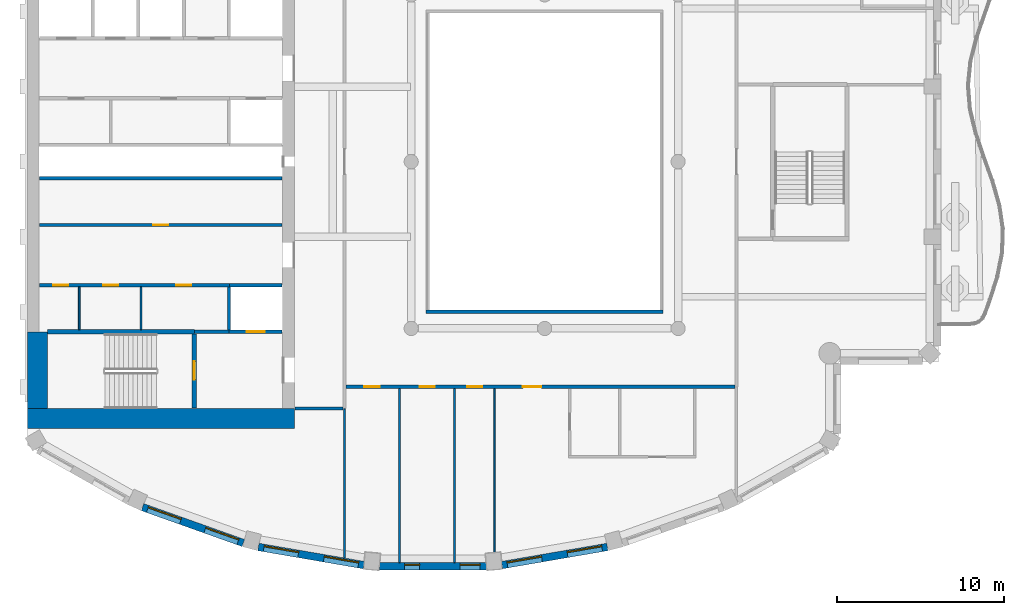
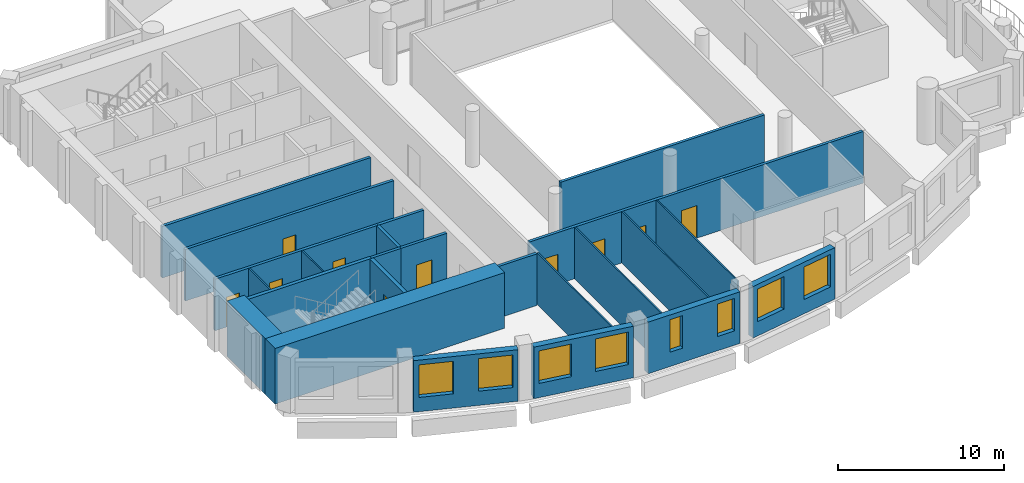
# One storey, part 4 of 14: 24 walls, 10 doors, 8 windows, 18 openings.
"""IFC4 building model written with IfcOpenShell, lengths in metres."""

from ifc_helpers import new_model, si_unit, direction, frame, frame_2d, origin, place, context, subcontext, project, spatial, rectangle, extrude, material, layer, layer_set, type_object, element, fill, save


model = new_model("IFC4")

# Units and contexts
model_context = context("Model", 3, precision=1e-05, world=origin(), true_north=direction((0.0, 1.0)))
body_context = subcontext(model_context, "Body", "Model", "MODEL_VIEW")
ifc_project = project(units=[si_unit("LENGTHUNIT", "METRE"), si_unit("AREAUNIT", "SQUARE_METRE"), si_unit("VOLUMEUNIT", "CUBIC_METRE"), si_unit("PLANEANGLEUNIT", "RADIAN"), si_unit("MASSUNIT", "GRAM", prefix="KILO")], contexts=[model_context])

# Site, building, storey
site_placement = place(None, origin())
site = spatial("IfcSite", under=ifc_project, at=site_placement, CompositionType="ELEMENT")
building_placement = place(site_placement, origin())
building = spatial("IfcBuilding", under=site, at=building_placement, Name="Cypress Arch Tower", CompositionType="ELEMENT")
storey_placement = place(building_placement, frame((0.0, 0.0, 263.89990234375)))
storey = spatial("IfcBuildingStorey", under=building, at=storey_placement, Name="L59", CompositionType="ELEMENT", Elevation=263.89990234375)

# Wall, openings, windows
ifc_material_1 = material(Name="Brick (red buff blend)", Category="masonry")
ifc_layer_1 = layer(ifc_material_1, 0.449951171875)
ifc_layer_set_1 = layer_set([ifc_layer_1], Name="Brick pier and spandrel wall BW450")
wall_type_1 = type_object("IfcWallType", Name="Brick pier and spandrel wall BW450", PredefinedType="SOLIDWALL", material=ifc_layer_set_1)
wall_1_placement = place(storey_placement, frame((-23.10498046875, -20.70947265625, 0.0), z_axis=(0.0, 0.0, 1.0), x_axis=(0.942104058931, -0.335320655711, 0.0)))
wall_1 = element("IfcWall", 1, at=wall_1_placement, inside=storey, type_object=wall_type_1, Name="Brick wall L59 C09.0", PredefinedType="SOLIDWALL", context=body_context, shape_type="SweptSolid", body=[
    extrude(rectangle(XDim=6.411376953125, YDim=0.449951171875, at=frame_2d((3.20556640625, 0.0))), origin(), (0.0, 0.0, 1.0), 3.800048828125),
])
opening_1_placement = place(wall_1_placement, frame((0.3271484375, 0.0, 1.050048828125)))
opening_1 = element("IfcOpeningElement", 2, at=opening_1_placement, cuts=wall_1, Name="Opening W210O", PredefinedType="OPENING", context=body_context, shape_type="SweptSolid", body=[
    extrude(rectangle(XDim=2.10009765625, YDim=2.39990234375, at=frame_2d((1.050048828125, 1.199951171875))), frame((0.0, 0.23486328125, 0.0), z_axis=(0.0, -1.0, 0.0), x_axis=(1.0, 0.0, 0.0)), (0.0, 0.0, 1.0), 0.469970703125),
])
opening_2_placement = place(wall_1_placement, frame((3.984619140625, 0.0, 1.050048828125)))
opening_2 = element("IfcOpeningElement", 3, at=opening_2_placement, cuts=wall_1, Name="Opening W210O", PredefinedType="OPENING", context=body_context, shape_type="SweptSolid", body=[
    extrude(rectangle(XDim=2.10009765625, YDim=2.39990234375, at=frame_2d((1.050048828125, 1.199951171875))), frame((0.0, 0.23486328125, 0.0), z_axis=(0.0, -1.0, 0.0), x_axis=(1.0, 0.0, 0.0)), (0.0, 0.0, 1.0), 0.469970703125),
])
ifc_material_2 = material(Name="Anodised aluminium, bronze finish, clear low-emissivity double glazing", Category="aluminium")
window_type_1 = type_object("IfcWindowType", Name="Window Office 2100x2400", PartitioningType="SINGLE_PANEL", PredefinedType="WINDOW", material=ifc_material_2)
window_1_placement = place(opening_1_placement, origin())
window_1 = element("IfcWindow", 4, at=window_1_placement, inside=storey, type_object=window_type_1, Name="Window L59 C09.0.1", OverallHeight=2.39990234375, OverallWidth=2.10009765625, PartitioningType="SINGLE_PANEL", PredefinedType="WINDOW", context=body_context, shape_type="SweptSolid", body=[
    extrude(rectangle(XDim=2.10009765625, YDim=2.39990234375, at=frame_2d((1.050048828125, 1.199951171875))), frame((0.0, 0.135009765625, 0.0), z_axis=(0.0, -1.0, 0.0), x_axis=(1.0, 0.0, 0.0)), (0.0, 0.0, 1.0), 0.06005859375),
])
fill(opening_1, window_1)
window_2_placement = place(opening_2_placement, origin())
window_2 = element("IfcWindow", 5, at=window_2_placement, inside=storey, type_object=window_type_1, Name="Window L59 C09.0.2", OverallHeight=2.39990234375, OverallWidth=2.10009765625, PartitioningType="SINGLE_PANEL", PredefinedType="WINDOW", context=body_context, shape_type="SweptSolid", body=[
    extrude(rectangle(XDim=2.10009765625, YDim=2.39990234375, at=frame_2d((1.050048828125, 1.199951171875))), frame((0.0, 0.135009765625, 0.0), z_axis=(0.0, -1.0, 0.0), x_axis=(1.0, 0.0, 0.0)), (0.0, 0.0, 1.0), 0.06005859375),
])
fill(opening_2, window_2)

wall_2_placement = place(storey_placement, frame((-16.15673828125, -23.09716796875, 0.0), z_axis=(0.0, 0.0, 1.0), x_axis=(0.985502073964, -0.169663379113, 0.0)))
wall_2 = element("IfcWall", 6, at=wall_2_placement, inside=storey, type_object=wall_type_1, Name="Brick wall L59 C10.0", PredefinedType="SOLIDWALL", context=body_context, shape_type="SweptSolid", body=[
    extrude(rectangle(XDim=6.412109375, YDim=0.449951171875, at=frame_2d((3.2060546875, 0.0))), origin(), (0.0, 0.0, 1.0), 3.800048828125),
])
opening_3_placement = place(wall_2_placement, frame((0.3271484375, 0.0, 1.050048828125)))
opening_3 = element("IfcOpeningElement", 7, at=opening_3_placement, cuts=wall_2, Name="Opening W210O", PredefinedType="OPENING", context=body_context, shape_type="SweptSolid", body=[
    extrude(rectangle(XDim=2.10009765625, YDim=2.39990234375, at=frame_2d((1.050048828125, 1.199951171875))), frame((0.0, 0.23486328125, 0.0), z_axis=(0.0, -1.0, 0.0), x_axis=(1.0, 0.0, 0.0)), (0.0, 0.0, 1.0), 0.469970703125),
])
opening_4_placement = place(wall_2_placement, frame((3.98486328125, 0.0, 1.050048828125)))
opening_4 = element("IfcOpeningElement", 8, at=opening_4_placement, cuts=wall_2, Name="Opening W210O", PredefinedType="OPENING", context=body_context, shape_type="SweptSolid", body=[
    extrude(rectangle(XDim=2.10009765625, YDim=2.39990234375, at=frame_2d((1.050048828125, 1.199951171875))), frame((0.0, 0.23486328125, 0.0), z_axis=(0.0, -1.0, 0.0), x_axis=(1.0, 0.0, 0.0)), (0.0, 0.0, 1.0), 0.469970703125),
])
window_3_placement = place(opening_3_placement, origin())
window_3 = element("IfcWindow", 9, at=window_3_placement, inside=storey, type_object=window_type_1, Name="Window L59 C10.0.1", OverallHeight=2.39990234375, OverallWidth=2.10009765625, PartitioningType="SINGLE_PANEL", PredefinedType="WINDOW", context=body_context, shape_type="SweptSolid", body=[
    extrude(rectangle(XDim=2.10009765625, YDim=2.39990234375, at=frame_2d((1.050048828125, 1.199951171875))), frame((0.0, 0.135009765625, 0.0), z_axis=(0.0, -1.0, 0.0), x_axis=(1.0, 0.0, 0.0)), (0.0, 0.0, 1.0), 0.06005859375),
])
fill(opening_3, window_3)
window_4_placement = place(opening_4_placement, origin())
window_4 = element("IfcWindow", 10, at=window_4_placement, inside=storey, type_object=window_type_1, Name="Window L59 C10.0.2", OverallHeight=2.39990234375, OverallWidth=2.10009765625, PartitioningType="SINGLE_PANEL", PredefinedType="WINDOW", context=body_context, shape_type="SweptSolid", body=[
    extrude(rectangle(XDim=2.10009765625, YDim=2.39990234375, at=frame_2d((1.050048828125, 1.199951171875))), frame((0.0, 0.135009765625, 0.0), z_axis=(0.0, -1.0, 0.0), x_axis=(1.0, 0.0, 0.0)), (0.0, 0.0, 1.0), 0.06005859375),
])
fill(opening_4, window_4)

wall_3_placement = place(storey_placement, frame((-8.90283203125, -24.264892578125, 0.0), z_axis=(0.0, 0.0, 1.0), x_axis=(1.0, 0.0, 0.0)))
wall_3 = element("IfcWall", 11, at=wall_3_placement, inside=storey, type_object=wall_type_1, Name="Brick wall L59 C11.0", PredefinedType="SOLIDWALL", context=body_context, shape_type="SweptSolid", body=[
    extrude(rectangle(XDim=6.405517578125, YDim=0.449951171875, at=frame_2d((3.20263671875, 0.0))), origin(), (0.0, 0.0, 1.0), 3.800048828125),
])
opening_5_placement = place(wall_3_placement, frame((1.51416015625, 0.0, 1.050048828125)))
opening_5 = element("IfcOpeningElement", 12, at=opening_5_placement, cuts=wall_3, Name="Opening W090O", PredefinedType="OPENING", context=body_context, shape_type="SweptSolid", body=[
    extrude(rectangle(XDim=0.89990234375, YDim=2.39990234375, at=frame_2d((0.449951171875, 1.199951171875))), frame((0.0, 0.23486328125, 0.0), z_axis=(0.0, -1.0, 0.0), x_axis=(1.0, 0.0, 0.0)), (0.0, 0.0, 1.0), 0.469970703125),
])
opening_6_placement = place(wall_3_placement, frame((4.84130859375, 0.0, 1.050048828125)))
opening_6 = element("IfcOpeningElement", 13, at=opening_6_placement, cuts=wall_3, Name="Opening W120O", PredefinedType="OPENING", context=body_context, shape_type="SweptSolid", body=[
    extrude(rectangle(XDim=1.199951171875, YDim=2.39990234375, at=frame_2d((0.60009765625, 1.199951171875))), frame((0.0, 0.23486328125, 0.0), z_axis=(0.0, -1.0, 0.0), x_axis=(1.0, 0.0, 0.0)), (0.0, 0.0, 1.0), 0.469970703125),
])
ifc_material_3 = material(Name="Anodised aluminium, bronze finish, clear low-emissivity double glazing", Category="aluminium")
window_type_2 = type_object("IfcWindowType", Name="Window Office 1200x2400", PartitioningType="SINGLE_PANEL", PredefinedType="WINDOW", material=ifc_material_3)
window_5_placement = place(opening_6_placement, origin())
window_5 = element("IfcWindow", 14, at=window_5_placement, inside=storey, type_object=window_type_2, Name="Window L59 C11.0.2", OverallHeight=2.39990234375, OverallWidth=1.199951171875, PartitioningType="SINGLE_PANEL", PredefinedType="WINDOW", context=body_context, shape_type="SweptSolid", body=[
    extrude(rectangle(XDim=1.199951171875, YDim=2.39990234375, at=frame_2d((0.60009765625, 1.199951171875))), frame((0.0, 0.135009765625, 0.0), z_axis=(0.0, -1.0, 0.0), x_axis=(1.0, 0.0, 0.0)), (0.0, 0.0, 1.0), 0.06005859375),
])
fill(opening_6, window_5)
ifc_material_4 = material(Name="Anodised aluminium, bronze finish, clear low-emissivity double glazing", Category="aluminium")
window_type_3 = type_object("IfcWindowType", Name="Window Office 900x2400", PartitioningType="SINGLE_PANEL", PredefinedType="WINDOW", material=ifc_material_4)
window_6_placement = place(opening_5_placement, origin())
window_6 = element("IfcWindow", 15, at=window_6_placement, inside=storey, type_object=window_type_3, Name="Window L59 C11.0.1", OverallHeight=2.39990234375, OverallWidth=0.89990234375, PartitioningType="SINGLE_PANEL", PredefinedType="WINDOW", context=body_context, shape_type="SweptSolid", body=[
    extrude(rectangle(XDim=0.89990234375, YDim=2.39990234375, at=frame_2d((0.449951171875, 1.199951171875))), frame((0.0, 0.135009765625, 0.0), z_axis=(0.0, -1.0, 0.0), x_axis=(1.0, 0.0, 0.0)), (0.0, 0.0, 1.0), 0.06005859375),
])
fill(opening_5, window_6)

wall_4_placement = place(storey_placement, frame((-1.562255859375, -24.18505859375, 0.0), z_axis=(0.0, 0.0, 1.0), x_axis=(0.985502073964, 0.169663379113, 0.0)))
wall_4 = element("IfcWall", 16, at=wall_4_placement, inside=storey, type_object=wall_type_1, Name="Brick wall L59 C12.0", PredefinedType="SOLIDWALL", context=body_context, shape_type="SweptSolid", body=[
    extrude(rectangle(XDim=6.412109375, YDim=0.449951171875, at=frame_2d((3.2060546875, 0.0))), origin(), (0.0, 0.0, 1.0), 3.800048828125),
])
opening_7_placement = place(wall_4_placement, frame((0.3271484375, 0.0, 1.050048828125)))
opening_7 = element("IfcOpeningElement", 17, at=opening_7_placement, cuts=wall_4, Name="Opening W210O", PredefinedType="OPENING", context=body_context, shape_type="SweptSolid", body=[
    extrude(rectangle(XDim=2.10009765625, YDim=2.39990234375, at=frame_2d((1.050048828125, 1.199951171875))), frame((0.0, 0.23486328125, 0.0), z_axis=(0.0, -1.0, 0.0), x_axis=(1.0, 0.0, 0.0)), (0.0, 0.0, 1.0), 0.469970703125),
])
opening_8_placement = place(wall_4_placement, frame((3.98486328125, 0.0, 1.050048828125)))
opening_8 = element("IfcOpeningElement", 18, at=opening_8_placement, cuts=wall_4, Name="Opening W210O", PredefinedType="OPENING", context=body_context, shape_type="SweptSolid", body=[
    extrude(rectangle(XDim=2.10009765625, YDim=2.39990234375, at=frame_2d((1.050048828125, 1.199951171875))), frame((0.0, 0.23486328125, 0.0), z_axis=(0.0, -1.0, 0.0), x_axis=(1.0, 0.0, 0.0)), (0.0, 0.0, 1.0), 0.469970703125),
])
window_7_placement = place(opening_7_placement, origin())
window_7 = element("IfcWindow", 19, at=window_7_placement, inside=storey, type_object=window_type_1, Name="Window L59 C12.0.1", OverallHeight=2.39990234375, OverallWidth=2.10009765625, PartitioningType="SINGLE_PANEL", PredefinedType="WINDOW", context=body_context, shape_type="SweptSolid", body=[
    extrude(rectangle(XDim=2.10009765625, YDim=2.39990234375, at=frame_2d((1.050048828125, 1.199951171875))), frame((0.0, 0.135009765625, 0.0), z_axis=(0.0, -1.0, 0.0), x_axis=(1.0, 0.0, 0.0)), (0.0, 0.0, 1.0), 0.06005859375),
])
fill(opening_7, window_7)
window_8_placement = place(opening_8_placement, origin())
window_8 = element("IfcWindow", 20, at=window_8_placement, inside=storey, type_object=window_type_1, Name="Window L59 C12.0.2", OverallHeight=2.39990234375, OverallWidth=2.10009765625, PartitioningType="SINGLE_PANEL", PredefinedType="WINDOW", context=body_context, shape_type="SweptSolid", body=[
    extrude(rectangle(XDim=2.10009765625, YDim=2.39990234375, at=frame_2d((1.050048828125, 1.199951171875))), frame((0.0, 0.135009765625, 0.0), z_axis=(0.0, -1.0, 0.0), x_axis=(1.0, 0.0, 0.0)), (0.0, 0.0, 1.0), 0.06005859375),
])
fill(opening_8, window_8)

# Walls
ifc_material_5 = material(Name="Concrete C60/75", Category="concrete")
ifc_layer_2 = layer(ifc_material_5, 1.199951171875)
ifc_layer_set_2 = layer_set([ifc_layer_2], Name="Core wall CW1200 C60/75")
wall_type_2 = type_object("IfcWallType", Name="Core wall CW1200 C60/75", PredefinedType="SHEAR", material=ifc_layer_set_2)
wall_5_placement = place(storey_placement, frame((-30.0, -15.39990234375, 0.0), z_axis=(0.0, 0.0, 1.0), x_axis=(1.0, 0.0, 0.0)))
element("IfcWall", 21, at=wall_5_placement, inside=storey, type_object=wall_type_2, Name="Core wall", PredefinedType="SHEAR", context=body_context, shape_type="SweptSolid", body=[
    extrude(rectangle(XDim=16.0, YDim=1.199951171875, at=frame_2d((8.0, 0.0))), origin(), (0.0, 0.0, 1.0), 4.10009765625),
])
wall_6_placement = place(storey_placement, frame((-29.39990234375, -14.800048828125, 0.0), z_axis=(0.0, 0.0, 1.0), x_axis=(0.0, 1.0, 0.0)))
element("IfcWall", 22, at=wall_6_placement, inside=storey, type_object=wall_type_2, Name="Core wall", PredefinedType="SHEAR", context=body_context, shape_type="SweptSolid", body=[
    extrude(rectangle(XDim=4.60009765625, YDim=1.199951171875, at=frame_2d((2.300048828125, 0.0))), origin(), (0.0, 0.0, 1.0), 4.10009765625),
])

# Wall, openings, doors
ifc_material_6 = material(Name="Concrete blockwork, plastered, rated", Category="masonry")
ifc_layer_3 = layer(ifc_material_6, 0.199951171875)
ifc_layer_set_3 = layer_set([ifc_layer_3], Name="Corridor wall FW200")
wall_type_3 = type_object("IfcWallType", Name="Corridor wall FW200", PredefinedType="PARTITIONING", material=ifc_layer_set_3)
wall_7_placement = place(storey_placement, frame((-29.27001953125, -7.39990234375, 0.0), z_axis=(0.0, 0.0, 1.0), x_axis=(1.0, 0.0, 0.0)))
wall_7 = element("IfcWall", 23, at=wall_7_placement, inside=storey, type_object=wall_type_3, Name="Corridor wall", PredefinedType="PARTITIONING", context=body_context, shape_type="SweptSolid", body=[
    extrude(rectangle(XDim=11.3701171875, YDim=0.199951171875, at=frame_2d((5.68505859375, 0.0))), origin(), (0.0, 0.0, 1.0), 3.800048828125),
])
opening_9_placement = place(wall_7_placement, frame((0.800048828125, 0.0, 0.0)))
opening_9 = element("IfcOpeningElement", 24, at=opening_9_placement, cuts=wall_7, Name="Opening D05", PredefinedType="OPENING", context=body_context, shape_type="SweptSolid", body=[
    extrude(rectangle(XDim=0.89990234375, YDim=2.199951171875, at=frame_2d((0.449951171875, 1.10009765625))), frame((0.0, 0.10986328125, 0.0), z_axis=(0.0, -1.0, 0.0), x_axis=(1.0, 0.0, 0.0)), (0.0, 0.0, 1.0), 0.219970703125),
])
opening_10_placement = place(wall_7_placement, frame((3.800048828125, 0.0, 0.0)))
opening_10 = element("IfcOpeningElement", 25, at=opening_10_placement, cuts=wall_7, Name="Opening D05", PredefinedType="OPENING", context=body_context, shape_type="SweptSolid", body=[
    extrude(rectangle(XDim=0.89990234375, YDim=2.199951171875, at=frame_2d((0.449951171875, 1.10009765625))), frame((0.0, 0.10986328125, 0.0), z_axis=(0.0, -1.0, 0.0), x_axis=(1.0, 0.0, 0.0)), (0.0, 0.0, 1.0), 0.219970703125),
])
opening_11_placement = place(wall_7_placement, frame((8.199951171875, 0.0, 0.0)))
opening_11 = element("IfcOpeningElement", 26, at=opening_11_placement, cuts=wall_7, Name="Opening D05", PredefinedType="OPENING", context=body_context, shape_type="SweptSolid", body=[
    extrude(rectangle(XDim=0.89990234375, YDim=2.199951171875, at=frame_2d((0.449951171875, 1.10009765625))), frame((0.0, 0.10986328125, 0.0), z_axis=(0.0, -1.0, 0.0), x_axis=(1.0, 0.0, 0.0)), (0.0, 0.0, 1.0), 0.219970703125),
])
ifc_material_7 = material(Name="Timber flush door", Category="wood")
door_type_1 = type_object("IfcDoorType", Name="Service door D05 900x2200", OperationType="SINGLE_SWING_LEFT", PredefinedType="DOOR", material=ifc_material_7)
door_1_placement = place(opening_9_placement, origin())
door_1 = element("IfcDoor", 27, at=door_1_placement, inside=storey, type_object=door_type_1, Name="Service door", OperationType="SINGLE_SWING_LEFT", OverallHeight=2.199951171875, OverallWidth=0.89990234375, PredefinedType="DOOR", context=body_context, shape_type="SweptSolid", body=[
    extrude(rectangle(XDim=0.89990234375, YDim=2.199951171875, at=frame_2d((0.449951171875, 1.10009765625))), frame((0.0, 0.02490234375, 0.0), z_axis=(0.0, -1.0, 0.0), x_axis=(1.0, 0.0, 0.0)), (0.0, 0.0, 1.0), 0.050048828125),
])
fill(opening_9, door_1)
door_2_placement = place(opening_10_placement, origin())
door_2 = element("IfcDoor", 28, at=door_2_placement, inside=storey, type_object=door_type_1, Name="Service door", OperationType="SINGLE_SWING_LEFT", OverallHeight=2.199951171875, OverallWidth=0.89990234375, PredefinedType="DOOR", context=body_context, shape_type="SweptSolid", body=[
    extrude(rectangle(XDim=0.89990234375, YDim=2.199951171875, at=frame_2d((0.449951171875, 1.10009765625))), frame((0.0, 0.02490234375, 0.0), z_axis=(0.0, -1.0, 0.0), x_axis=(1.0, 0.0, 0.0)), (0.0, 0.0, 1.0), 0.050048828125),
])
fill(opening_10, door_2)
door_3_placement = place(opening_11_placement, origin())
door_3 = element("IfcDoor", 29, at=door_3_placement, inside=storey, type_object=door_type_1, Name="Service door", OperationType="SINGLE_SWING_RIGHT", OverallHeight=2.199951171875, OverallWidth=0.89990234375, PredefinedType="DOOR", context=body_context, shape_type="SweptSolid", body=[
    extrude(rectangle(XDim=0.89990234375, YDim=2.199951171875, at=frame_2d((0.449951171875, 1.10009765625))), frame((0.0, 0.02490234375, 0.0), z_axis=(0.0, -1.0, 0.0), x_axis=(1.0, 0.0, 0.0)), (0.0, 0.0, 1.0), 0.050048828125),
])
fill(opening_11, door_3)

# Wall, opening, door
wall_8_placement = place(storey_placement, frame((-29.27001953125, -3.800048828125, 0.0), z_axis=(0.0, 0.0, 1.0), x_axis=(1.0, 0.0, 0.0)))
wall_8 = element("IfcWall", 30, at=wall_8_placement, inside=storey, type_object=wall_type_3, Name="Corridor wall", PredefinedType="PARTITIONING", context=body_context, shape_type="SweptSolid", body=[
    extrude(rectangle(XDim=14.5400390625, YDim=0.199951171875, at=frame_2d((7.27001953125, 0.0))), origin(), (0.0, 0.0, 1.0), 3.800048828125),
])
opening_12_placement = place(wall_8_placement, frame((6.800048828125, 0.0, 0.0)))
opening_12 = element("IfcOpeningElement", 31, at=opening_12_placement, cuts=wall_8, Name="Opening D05", PredefinedType="OPENING", context=body_context, shape_type="SweptSolid", body=[
    extrude(rectangle(XDim=0.89990234375, YDim=2.199951171875, at=frame_2d((0.449951171875, 1.10009765625))), frame((0.0, 0.10986328125, 0.0), z_axis=(0.0, -1.0, 0.0), x_axis=(1.0, 0.0, 0.0)), (0.0, 0.0, 1.0), 0.219970703125),
])
door_4_placement = place(opening_12_placement, origin())
door_4 = element("IfcDoor", 32, at=door_4_placement, inside=storey, type_object=door_type_1, Name="Service door", OperationType="SINGLE_SWING_LEFT", OverallHeight=2.199951171875, OverallWidth=0.89990234375, PredefinedType="DOOR", context=body_context, shape_type="SweptSolid", body=[
    extrude(rectangle(XDim=0.89990234375, YDim=2.199951171875, at=frame_2d((0.449951171875, 1.10009765625))), frame((0.0, 0.02490234375, 0.0), z_axis=(0.0, -1.0, 0.0), x_axis=(1.0, 0.0, 0.0)), (0.0, 0.0, 1.0), 0.050048828125),
])
fill(opening_12, door_4)

# Walls
wall_9_placement = place(storey_placement, frame((-20.0, -10.199951171875, 0.0), z_axis=(0.0, 0.0, 1.0), x_axis=(1.0, 0.0, 0.0)))
element("IfcWall", 33, at=wall_9_placement, inside=storey, type_object=wall_type_3, Name="Corridor wall", PredefinedType="PARTITIONING", context=body_context, shape_type="SweptSolid", body=[
    extrude(rectangle(XDim=2.080078125, YDim=0.199951171875, at=frame_2d((1.0400390625, 0.0))), origin(), (0.0, 0.0, 1.0), 3.800048828125),
])
wall_10_placement = place(storey_placement, frame((-13.969970703125, -14.800048828125, 0.0), z_axis=(0.0, 0.0, 1.0), x_axis=(1.0, 0.0, 0.0)))
element("IfcWall", 34, at=wall_10_placement, inside=storey, type_object=wall_type_3, Name="Corridor wall", PredefinedType="PARTITIONING", context=body_context, shape_type="SweptSolid", body=[
    extrude(rectangle(XDim=2.869873046875, YDim=0.199951171875, at=frame_2d((1.43505859375, 0.0))), origin(), (0.0, 0.0, 1.0), 3.800048828125),
])

# Wall, openings, doors
wall_11_placement = place(storey_placement, frame((-10.89990234375, -13.5, 0.0), z_axis=(0.0, 0.0, 1.0), x_axis=(1.0, 0.0, 0.0)))
wall_11 = element("IfcWall", 35, at=wall_11_placement, inside=storey, type_object=wall_type_3, Name="Corridor wall", PredefinedType="PARTITIONING", context=body_context, shape_type="SweptSolid", body=[
    extrude(rectangle(XDim=23.2998046875, YDim=0.199951171875, at=frame_2d((11.64990234375, 0.0))), origin(), (0.0, 0.0, 1.0), 3.800048828125),
])
opening_13_placement = place(wall_11_placement, frame((1.10009765625, 0.0, 0.0)))
opening_13 = element("IfcOpeningElement", 36, at=opening_13_placement, cuts=wall_11, Name="Opening D03", PredefinedType="OPENING", context=body_context, shape_type="SweptSolid", body=[
    extrude(rectangle(XDim=0.89990234375, YDim=2.199951171875, at=frame_2d((0.449951171875, 1.10009765625))), frame((0.0, 0.10986328125, 0.0), z_axis=(0.0, -1.0, 0.0), x_axis=(1.0, 0.0, 0.0)), (0.0, 0.0, 1.0), 0.219970703125),
])
opening_14_placement = place(wall_11_placement, frame((4.39990234375, 0.0, 0.0)))
opening_14 = element("IfcOpeningElement", 37, at=opening_14_placement, cuts=wall_11, Name="Opening D03", PredefinedType="OPENING", context=body_context, shape_type="SweptSolid", body=[
    extrude(rectangle(XDim=0.89990234375, YDim=2.199951171875, at=frame_2d((0.449951171875, 1.10009765625))), frame((0.0, 0.10986328125, 0.0), z_axis=(0.0, -1.0, 0.0), x_axis=(1.0, 0.0, 0.0)), (0.0, 0.0, 1.0), 0.219970703125),
])
opening_15_placement = place(wall_11_placement, frame((7.25, 0.0, 0.0)))
opening_15 = element("IfcOpeningElement", 38, at=opening_15_placement, cuts=wall_11, Name="Opening D03", PredefinedType="OPENING", context=body_context, shape_type="SweptSolid", body=[
    extrude(rectangle(XDim=0.89990234375, YDim=2.199951171875, at=frame_2d((0.449951171875, 1.10009765625))), frame((0.0, 0.10986328125, 0.0), z_axis=(0.0, -1.0, 0.0), x_axis=(1.0, 0.0, 0.0)), (0.0, 0.0, 1.0), 0.219970703125),
])
opening_16_placement = place(wall_11_placement, frame((10.60009765625, 0.0, 0.0)))
opening_16 = element("IfcOpeningElement", 39, at=opening_16_placement, cuts=wall_11, Name="Opening D01", PredefinedType="OPENING", context=body_context, shape_type="SweptSolid", body=[
    extrude(rectangle(XDim=1.10009765625, YDim=2.39990234375, at=frame_2d((0.550048828125, 1.199951171875))), frame((0.0, 0.10986328125, 0.0), z_axis=(0.0, -1.0, 0.0), x_axis=(1.0, 0.0, 0.0)), (0.0, 0.0, 1.0), 0.219970703125),
])
ifc_material_8 = material(Name="Timber flush door, moisture resistant", Category="wood")
door_type_2 = type_object("IfcDoorType", Name="Bathroom door D03 900x2200", OperationType="SINGLE_SWING_LEFT", PredefinedType="DOOR", material=ifc_material_8)
door_5_placement = place(opening_13_placement, origin())
door_5 = element("IfcDoor", 40, at=door_5_placement, inside=storey, type_object=door_type_2, Name="Bathroom door", OperationType="SINGLE_SWING_RIGHT", OverallHeight=2.199951171875, OverallWidth=0.89990234375, PredefinedType="DOOR", context=body_context, shape_type="SweptSolid", body=[
    extrude(rectangle(XDim=0.89990234375, YDim=2.199951171875, at=frame_2d((0.449951171875, 1.10009765625))), frame((0.0, 0.02490234375, 0.0), z_axis=(0.0, -1.0, 0.0), x_axis=(1.0, 0.0, 0.0)), (0.0, 0.0, 1.0), 0.050048828125),
])
fill(opening_13, door_5)
door_6_placement = place(opening_14_placement, origin())
door_6 = element("IfcDoor", 41, at=door_6_placement, inside=storey, type_object=door_type_2, Name="Bathroom door", OperationType="SINGLE_SWING_RIGHT", OverallHeight=2.199951171875, OverallWidth=0.89990234375, PredefinedType="DOOR", context=body_context, shape_type="SweptSolid", body=[
    extrude(rectangle(XDim=0.89990234375, YDim=2.199951171875, at=frame_2d((0.449951171875, 1.10009765625))), frame((0.0, 0.02490234375, 0.0), z_axis=(0.0, -1.0, 0.0), x_axis=(1.0, 0.0, 0.0)), (0.0, 0.0, 1.0), 0.050048828125),
])
fill(opening_14, door_6)
door_7_placement = place(opening_15_placement, origin())
door_7 = element("IfcDoor", 42, at=door_7_placement, inside=storey, type_object=door_type_2, Name="Bathroom door", OperationType="SINGLE_SWING_RIGHT", OverallHeight=2.199951171875, OverallWidth=0.89990234375, PredefinedType="DOOR", context=body_context, shape_type="SweptSolid", body=[
    extrude(rectangle(XDim=0.89990234375, YDim=2.199951171875, at=frame_2d((0.449951171875, 1.10009765625))), frame((0.0, 0.02490234375, 0.0), z_axis=(0.0, -1.0, 0.0), x_axis=(1.0, 0.0, 0.0)), (0.0, 0.0, 1.0), 0.050048828125),
])
fill(opening_15, door_7)
ifc_material_9 = material(Name="Timber flush door, fire resisting, self-closing", Category="wood")
door_type_3 = type_object("IfcDoorType", Name="Unit entrance door D01 1100x2400", OperationType="SINGLE_SWING_LEFT", PredefinedType="DOOR", material=ifc_material_9)
door_8_placement = place(opening_16_placement, origin())
door_8 = element("IfcDoor", 43, at=door_8_placement, inside=storey, type_object=door_type_3, Name="Unit entrance door", OperationType="SINGLE_SWING_LEFT", OverallHeight=2.39990234375, OverallWidth=1.10009765625, PredefinedType="DOOR", context=body_context, shape_type="SweptSolid", body=[
    extrude(rectangle(XDim=1.10009765625, YDim=2.39990234375, at=frame_2d((0.550048828125, 1.199951171875))), frame((0.0, 0.02490234375, 0.0), z_axis=(0.0, -1.0, 0.0), x_axis=(1.0, 0.0, 0.0)), (0.0, 0.0, 1.0), 0.050048828125),
])
fill(opening_16, door_8)

# Walls
wall_12_placement = place(storey_placement, frame((-6.10009765625, -9.0, 0.0), z_axis=(0.0, 0.0, 1.0), x_axis=(1.0, 0.0, 0.0)))
element("IfcWall", 44, at=wall_12_placement, inside=storey, type_object=wall_type_3, Name="Corridor wall", PredefinedType="PARTITIONING", context=body_context, shape_type="SweptSolid", body=[
    extrude(rectangle(XDim=14.2001953125, YDim=0.199951171875, at=frame_2d((7.10009765625, 0.0))), origin(), (0.0, 0.0, 1.0), 3.800048828125),
])
ifc_material_10 = material(Name="Reinforced blockwork, plastered, rated", Category="masonry")
ifc_layer_4 = layer(ifc_material_10, 0.199951171875)
ifc_layer_set_4 = layer_set([ifc_layer_4], Name="Plant and riser wall PL200")
wall_type_4 = type_object("IfcWallType", Name="Plant and riser wall PL200", PredefinedType="PARTITIONING", material=ifc_layer_set_4)
wall_13_placement = place(storey_placement, frame((-29.27001953125, -1.0, 0.0), z_axis=(0.0, 0.0, 1.0), x_axis=(1.0, 0.0, 0.0)))
element("IfcWall", 45, at=wall_13_placement, inside=storey, type_object=wall_type_4, Name="Plant and riser wall", PredefinedType="PARTITIONING", context=body_context, shape_type="SweptSolid", body=[
    extrude(rectangle(XDim=14.5400390625, YDim=0.199951171875, at=frame_2d((7.27001953125, 0.0))), origin(), (0.0, 0.0, 1.0), 3.800048828125),
])
ifc_material_11 = material(Name="Concrete C50/60", Category="concrete")
ifc_layer_5 = layer(ifc_material_11, 0.199951171875)
ifc_layer_set_5 = layer_set([ifc_layer_5], Name="Shaft wall SH200")
wall_type_5 = type_object("IfcWallType", Name="Shaft wall SH200", PredefinedType="SHEAR", material=ifc_layer_set_5)
wall_14_placement = place(storey_placement, frame((-17.919921875, -10.10009765625, 0.0), z_axis=(0.0, 0.0, 1.0), x_axis=(0.0, 1.0, 0.0)))
element("IfcWall", 46, at=wall_14_placement, inside=storey, type_object=wall_type_5, Name="Shaft wall", PredefinedType="SHEAR", context=body_context, shape_type="SweptSolid", body=[
    extrude(rectangle(XDim=2.60009765625, YDim=0.199951171875, at=frame_2d((1.300048828125, 0.0))), origin(), (0.0, 0.0, 1.0), 3.800048828125),
])

# Wall, opening, door
wall_15_placement = place(storey_placement, frame((-17.919921875, -10.199951171875, 0.0), z_axis=(0.0, 0.0, 1.0), x_axis=(1.0, 0.0, 0.0)))
wall_15 = element("IfcWall", 47, at=wall_15_placement, inside=storey, type_object=wall_type_5, Name="Shaft wall", PredefinedType="SHEAR", context=body_context, shape_type="SweptSolid", body=[
    extrude(rectangle(XDim=3.18994140625, YDim=0.199951171875, at=frame_2d((1.594970703125, 0.0))), origin(), (0.0, 0.0, 1.0), 3.800048828125),
])
opening_17_placement = place(wall_15_placement, frame((1.050048828125, 0.0, 0.0)))
opening_17 = element("IfcOpeningElement", 48, at=opening_17_placement, cuts=wall_15, Name="Opening LD-FL1", PredefinedType="OPENING", context=body_context, shape_type="SweptSolid", body=[
    extrude(rectangle(XDim=1.10009765625, YDim=2.199951171875, at=frame_2d((0.550048828125, 1.10009765625))), frame((0.0, 0.10986328125, 0.0), z_axis=(0.0, -1.0, 0.0), x_axis=(1.0, 0.0, 0.0)), (0.0, 0.0, 1.0), 0.219970703125),
])
ifc_material_12 = material(Name="Stainless steel centre-opening landing door, rated", Category="steel")
door_type_4 = type_object("IfcDoorType", Name="Lift landing door LD 1100x2200", OperationType="DOUBLE_DOOR_SLIDING", PredefinedType="DOOR", material=ifc_material_12)
door_9_placement = place(opening_17_placement, origin())
door_9 = element("IfcDoor", 49, at=door_9_placement, inside=storey, type_object=door_type_4, Name="Lift landing doors FL1", OperationType="DOUBLE_DOOR_SLIDING", OverallHeight=2.199951171875, OverallWidth=1.10009765625, PredefinedType="DOOR", context=body_context, shape_type="SweptSolid", body=[
    extrude(rectangle(XDim=1.10009765625, YDim=2.199951171875, at=frame_2d((0.550048828125, 1.10009765625))), frame((0.0, 0.02490234375, 0.0), z_axis=(0.0, -1.0, 0.0), x_axis=(1.0, 0.0, 0.0)), (0.0, 0.0, 1.0), 0.050048828125),
])
fill(opening_17, door_9)

# Walls
wall_16_placement = place(storey_placement, frame((-17.89990234375, -7.39990234375, 0.0), z_axis=(0.0, 0.0, 1.0), x_axis=(1.0, 0.0, 0.0)))
element("IfcWall", 50, at=wall_16_placement, inside=storey, type_object=wall_type_5, Name="Shaft wall", PredefinedType="SHEAR", context=body_context, shape_type="SweptSolid", body=[
    extrude(rectangle(XDim=3.169921875, YDim=0.199951171875, at=frame_2d((1.5849609375, 0.0))), origin(), (0.0, 0.0, 1.0), 3.800048828125),
])
ifc_material_13 = material(Name="Concrete C50/60", Category="concrete")
ifc_layer_6 = layer(ifc_material_13, 0.25)
ifc_layer_set_6 = layer_set([ifc_layer_6], Name="Stair enclosure wall SW250")
wall_type_6 = type_object("IfcWallType", Name="Stair enclosure wall SW250", PredefinedType="SHEAR", material=ifc_layer_set_6)
wall_17_placement = place(storey_placement, frame((-28.81005859375, -10.199951171875, 0.0), z_axis=(0.0, 0.0, 1.0), x_axis=(1.0, 0.0, 0.0)))
element("IfcWall", 51, at=wall_17_placement, inside=storey, type_object=wall_type_6, Name="Stair enclosure wall", PredefinedType="SHEAR", context=body_context, shape_type="SweptSolid", body=[
    extrude(rectangle(XDim=8.81005859375, YDim=0.25, at=frame_2d((4.405029296875, 0.0))), origin(), (0.0, 0.0, 1.0), 3.800048828125),
])

# Wall, opening, door
wall_18_placement = place(storey_placement, frame((-20.0, -14.77001953125, 0.0), z_axis=(0.0, 0.0, 1.0), x_axis=(0.0, 1.0, 0.0)))
wall_18 = element("IfcWall", 52, at=wall_18_placement, inside=storey, type_object=wall_type_6, Name="Stair enclosure wall", PredefinedType="SHEAR", context=body_context, shape_type="SweptSolid", body=[
    extrude(rectangle(XDim=4.445068359375, YDim=0.25, at=frame_2d((2.22265625, 0.0))), origin(), (0.0, 0.0, 1.0), 3.800048828125),
])
opening_18_placement = place(wall_18_placement, frame((1.699951171875, 0.0, 0.0)))
opening_18 = element("IfcOpeningElement", 53, at=opening_18_placement, cuts=wall_18, Name="Opening D06", PredefinedType="OPENING", context=body_context, shape_type="SweptSolid", body=[
    extrude(rectangle(XDim=1.10009765625, YDim=2.199951171875, at=frame_2d((0.550048828125, 1.10009765625))), frame((0.0, 0.135009765625, 0.0), z_axis=(0.0, -1.0, 0.0), x_axis=(1.0, 0.0, 0.0)), (0.0, 0.0, 1.0), 0.27001953125),
])
ifc_material_14 = material(Name="Steel door, fire resisting, panic bar", Category="steel")
door_type_5 = type_object("IfcDoorType", Name="Stair door D06 1100x2200", OperationType="SINGLE_SWING_LEFT", PredefinedType="DOOR", material=ifc_material_14)
door_10_placement = place(opening_18_placement, origin())
door_10 = element("IfcDoor", 54, at=door_10_placement, inside=storey, type_object=door_type_5, Name="Stair door", OperationType="SINGLE_SWING_RIGHT", OverallHeight=2.199951171875, OverallWidth=1.10009765625, PredefinedType="DOOR", context=body_context, shape_type="SweptSolid", body=[
    extrude(rectangle(XDim=1.10009765625, YDim=2.199951171875, at=frame_2d((0.550048828125, 1.10009765625))), frame((0.0, 0.02490234375, 0.0), z_axis=(0.0, -1.0, 0.0), x_axis=(1.0, 0.0, 0.0)), (0.0, 0.0, 1.0), 0.050048828125),
])
fill(opening_18, door_10)

# Walls
ifc_material_15 = material(Name="Moisture resistant board on steel studs, tiled", Category="steel")
ifc_layer_7 = layer(ifc_material_15, 0.10009765625)
ifc_layer_set_7 = layer_set([ifc_layer_7], Name="Wet wall PW100")
wall_type_7 = type_object("IfcWallType", Name="Wet wall PW100", PredefinedType="PARTITIONING", material=ifc_layer_set_7)
for number, where, z_axis, x_axis, name in (
    (55, (-26.89990234375, -10.074951171875, 0.0), (0.0, 0.0, 1.0), (0.0, 1.0, 0.0), "Wet wall"),
    (56, (-23.199951171875, -10.074951171875, 0.0), (0.0, 0.0, 1.0), (0.0, 1.0, 0.0), "Wet wall"),
):
    element("IfcWall", number, at=place(storey_placement, frame(where, z_axis=z_axis, x_axis=x_axis)), inside=storey, type_object=wall_type_7, Name=name, PredefinedType="PARTITIONING", context=body_context, shape_type="SweptSolid", body=[
        extrude(rectangle(XDim=2.574951171875, YDim=0.10009765625, at=frame_2d((1.28759765625, 0.0))), origin(), (0.0, 0.0, 1.0), 3.800048828125),
    ])
wall_19_placement = place(storey_placement, frame((-11.0, -23.756591796875, 0.0), z_axis=(0.0, 0.0, 1.0), x_axis=(0.0, 1.0, 0.0)))
element("IfcWall", 57, at=wall_19_placement, inside=storey, type_object=wall_type_7, Name="Wet wall", PredefinedType="PARTITIONING", context=body_context, shape_type="SweptSolid", body=[
    extrude(rectangle(XDim=8.9365234375, YDim=0.10009765625, at=frame_2d((4.46826171875, 0.0))), origin(), (0.0, 0.0, 1.0), 3.800048828125),
])
for number, where, z_axis, x_axis, name in (
    (58, (-7.699951171875, -24.0400390625, 0.0), (0.0, 0.0, 1.0), (0.0, 1.0, 0.0), "Wet wall"),
    (59, (-4.39990234375, -24.0400390625, 0.0), (0.0, 0.0, 1.0), (0.0, 1.0, 0.0), "Wet wall"),
):
    element("IfcWall", number, at=place(storey_placement, frame(where, z_axis=z_axis, x_axis=x_axis)), inside=storey, type_object=wall_type_7, Name=name, PredefinedType="PARTITIONING", context=body_context, shape_type="SweptSolid", body=[
        extrude(rectangle(XDim=10.43994140625, YDim=0.10009765625, at=frame_2d((5.219970703125, 0.0))), origin(), (0.0, 0.0, 1.0), 3.800048828125),
    ])
wall_20_placement = place(storey_placement, frame((-2.0, -23.447265625, 0.0), z_axis=(0.0, 0.0, 1.0), x_axis=(0.0, 1.0, 0.0)))
element("IfcWall", 60, at=wall_20_placement, inside=storey, type_object=wall_type_7, Name="Wet wall", PredefinedType="PARTITIONING", context=body_context, shape_type="SweptSolid", body=[
    extrude(rectangle(XDim=9.84716796875, YDim=0.10009765625, at=frame_2d((4.923583984375, 0.0))), origin(), (0.0, 0.0, 1.0), 3.800048828125),
])

save(model, "model.ifc")
